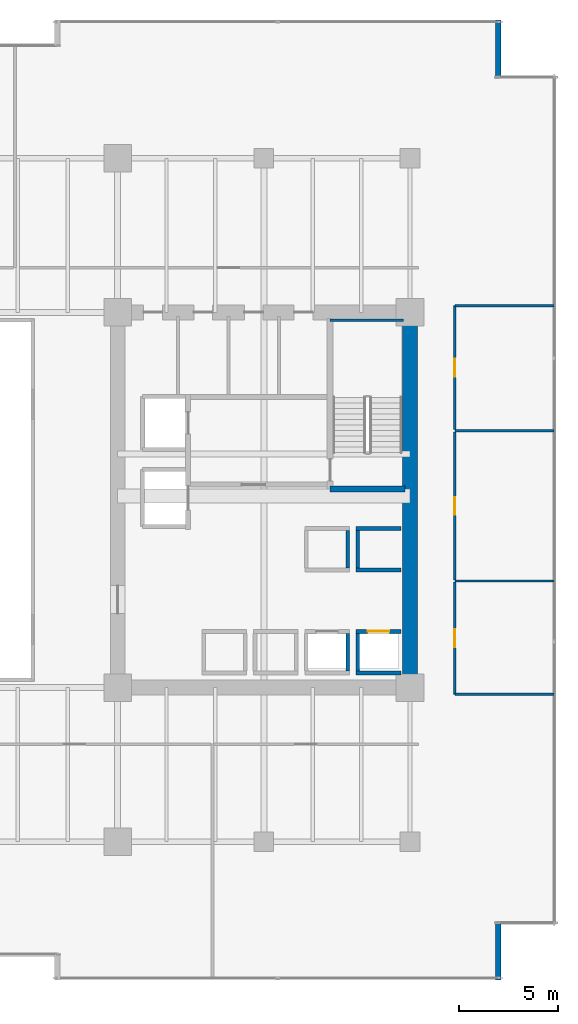
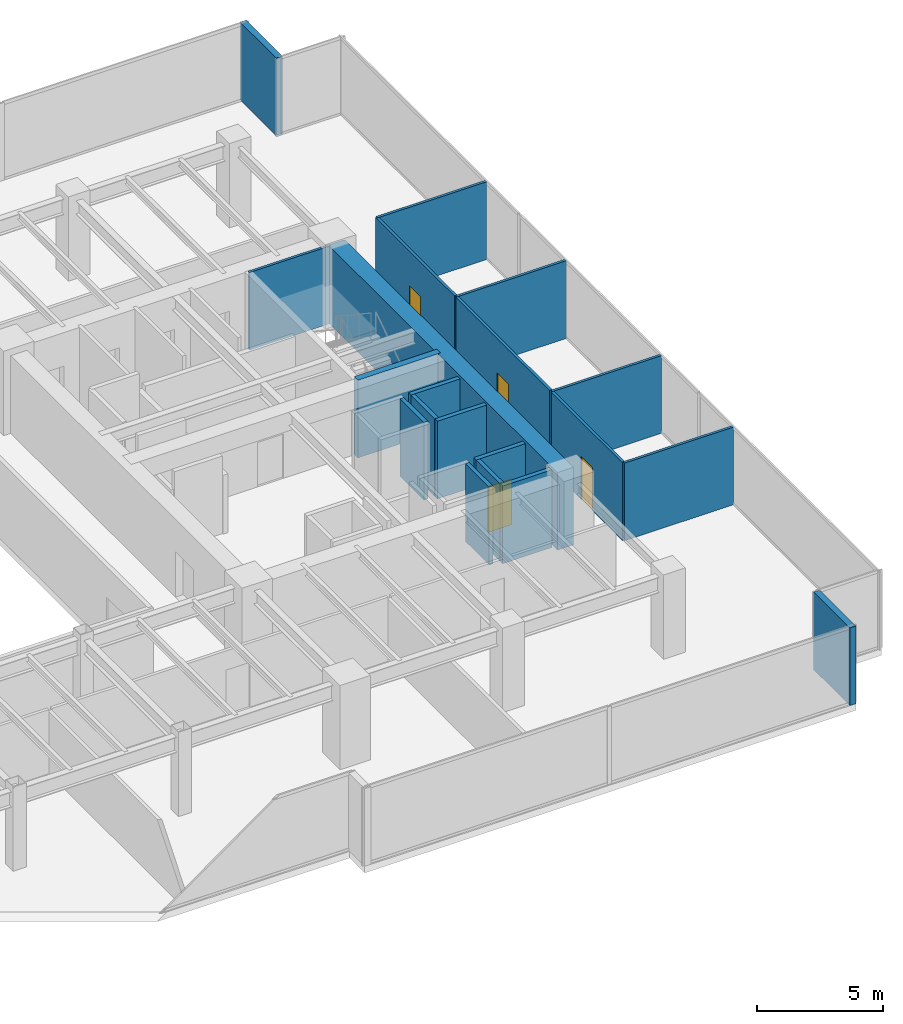
# One storey, part 32 of 35: 20 walls, 4 doors, 4 openings.
"""IFC4 building model written with IfcOpenShell, lengths in metres."""

from ifc_helpers import new_model, si_unit, direction, frame, frame_2d, origin, place, context, subcontext, project, spatial, rectangle, extrude, source, transform, mapped, material, layer, layer_set, type_object, type_shapes, element, fill, save


model = new_model("IFC4")

# Units and contexts
model_context = context("Model", 3, precision=1e-05, world=origin(), true_north=direction((0.0, 1.0)))
body_context = subcontext(model_context, "Body", "Model", "MODEL_VIEW")
ifc_project = project(units=[si_unit("LENGTHUNIT", "METRE"), si_unit("AREAUNIT", "SQUARE_METRE"), si_unit("VOLUMEUNIT", "CUBIC_METRE"), si_unit("PLANEANGLEUNIT", "RADIAN"), si_unit("MASSUNIT", "GRAM", prefix="KILO")], contexts=[model_context])

# Site, building, storey
site_placement = place(None, origin())
site = spatial("IfcSite", under=ifc_project, at=site_placement, CompositionType="ELEMENT")
building_placement = place(site_placement, origin())
building = spatial("IfcBuilding", under=site, at=building_placement, Name="Haelvirn Gate Laboratories", CompositionType="ELEMENT")
storey_placement = place(building_placement, frame((0.0, 0.0, 82.60009765625)))
storey = spatial("IfcBuildingStorey", under=building, at=storey_placement, Name="L20", CompositionType="ELEMENT", Elevation=82.60009765625)

# Walls
ifc_material_1 = material(Name="Thermally-broken bronze aluminium rainscreen & mineral wool", Category="aluminium")
ifc_layer_1 = layer(ifc_material_1, 0.280029296875, Name="EW-TERR-280")
ifc_layer_set_1 = layer_set([ifc_layer_1], Name="Thermally-broken bronze aluminium rainscreen & mineral wool")
wall_type_1 = type_object("IfcWallType", Name="EW-TERR-280", PredefinedType="STANDARD", material=ifc_layer_set_1)
wall_1_placement = place(storey_placement, frame((71.860107421875, 0.0, 0.0), z_axis=(0.0, 0.0, 1.0), x_axis=(0.0, 1.0, 0.0)))
element("IfcWall", 1, at=wall_1_placement, inside=storey, type_object=wall_type_1, Name="L20 Atrium Recess Bronze Return Wall 05", PredefinedType="STANDARD", context=body_context, shape_type="SweptSolid", body=[
    extrude(rectangle(XDim=2.887939453125, YDim=0.280029296875, at=frame_2d((1.44384765625, 0.0))), origin(), (0.0, 0.0, 1.0), 3.77978515625),
])
wall_2_placement = place(storey_placement, frame((71.860107421875, 45.7119140625, 0.0), z_axis=(0.0, 0.0, 1.0), x_axis=(0.0, 1.0, 0.0)))
element("IfcWall", 2, at=wall_2_placement, inside=storey, type_object=wall_type_1, Name="L20 Atrium Recess Bronze Return Wall 09", PredefinedType="STANDARD", context=body_context, shape_type="SweptSolid", body=[
    extrude(rectangle(XDim=2.88818359375, YDim=0.280029296875, at=frame_2d((1.444091796875, 0.0))), origin(), (0.0, 0.0, 1.0), 3.77978515625),
])
ifc_material_2 = material(Name="Lightweight acoustic gypsum board partition", Category="gypsum")
ifc_layer_2 = layer(ifc_material_2, 0.1201171875, Name="IW-PART-120")
ifc_layer_set_2 = layer_set([ifc_layer_2], Name="Lightweight acoustic gypsum board partition")
wall_type_2 = type_object("IfcWallType", Name="IW-PART-120", PredefinedType="PARTITIONING", material=ifc_layer_set_2)
for number, where, z_axis, x_axis, name in (
    (3, (69.669921875, 14.465087890625, 0.0), (0.0, 0.0, 1.0), (1.0, 0.0, 0.0), "L20 Interior Wall IW-L20-ECAP-S"),
    (4, (69.669921875, 34.135009765625, 0.0), (0.0, 0.0, 1.0), (1.0, 0.0, 0.0), "L20 Interior Wall IW-L20-ECAP-N"),
):
    element("IfcWall", number, at=place(storey_placement, frame(where, z_axis=z_axis, x_axis=x_axis)), inside=storey, type_object=wall_type_2, Name=name, PredefinedType="PARTITIONING", context=body_context, shape_type="SweptSolid", body=[
        extrude(rectangle(XDim=5.02001953125, YDim=0.1201171875, at=frame_2d((2.510009765625, 0.0))), origin(), (0.0, 0.0, 1.0), 3.77978515625),
    ])

# Wall, opening, door
wall_3_placement = place(storey_placement, frame((69.669921875, 14.465087890625, 0.0), z_axis=(0.0, 0.0, 1.0), x_axis=(0.0, 1.0, 0.0)))
wall_3 = element("IfcWall", 5, at=wall_3_placement, inside=storey, type_object=wall_type_2, Name="L20 Interior Wall IW-L20-EPASS-01", PredefinedType="PARTITIONING", context=body_context, shape_type="SweptSolid", body=[
    extrude(rectangle(XDim=5.6748046875, YDim=0.1201171875, at=frame_2d((2.83740234375, 0.0))), origin(), (0.0, 0.0, 1.0), 3.77978515625),
])
opening_1_placement = place(wall_3_placement, frame((2.387451171875, 0.0, 0.0)))
opening_1 = element("IfcOpeningElement", 6, at=opening_1_placement, cuts=wall_3, Name="Opening D4", PredefinedType="OPENING", context=body_context, shape_type="SweptSolid", body=[
    extrude(rectangle(XDim=0.89990234375, YDim=2.10009765625, at=frame_2d((0.449951171875, 1.050048828125))), frame((0.0, 0.070068359375, 0.0), z_axis=(0.0, -1.0, 0.0), x_axis=(1.0, 0.0, 0.0)), (0.0, 0.0, 1.0), 0.14013671875),
])
ifc_material_3 = material(Name="Glazed aluminium-framed write-up door", Category="aluminium")
door_type_1 = type_object("IfcDoorType", Name="DR-OFF-900", OperationType="NOTDEFINED", PredefinedType="DOOR", material=ifc_material_3)
shared_shape_1 = source(origin(), body_context, "Body", "SweptSolid", [
    extrude(rectangle(XDim=0.89990234375, YDim=2.10009765625, at=frame_2d((0.449951171875, 1.050048828125))), frame((0.0, 0.02490234375, 0.0), z_axis=(0.0, -1.0, 0.0), x_axis=(1.0, 0.0, 0.0)), (0.0, 0.0, 1.0), 0.050048828125),
])
type_shapes(door_type_1, [shared_shape_1])
door_1_placement = place(opening_1_placement, origin())
door_1 = element("IfcDoor", 7, at=door_1_placement, inside=storey, type_object=door_type_1, Name="L20 Proteomics Mass-Spec Laboratory Door E1", OperationType="SINGLE_SWING_LEFT", OverallHeight=2.10009765625, OverallWidth=0.89990234375, PredefinedType="DOOR", context=body_context, shape_type="MappedRepresentation", body=[
    mapped(shared_shape_1, transform((0.0, 0.0, 0.0), scale=1.0)),
])
fill(opening_1, door_1)

# Wall
wall_4_placement = place(storey_placement, frame((69.669921875, 20.199951171875, 0.0), z_axis=(0.0, 0.0, 1.0), x_axis=(1.0, 0.0, 0.0)))
element("IfcWall", 8, at=wall_4_placement, inside=storey, type_object=wall_type_2, Name="L20 Interior Wall IW-L20-EDIV-01", PredefinedType="PARTITIONING", context=body_context, shape_type="SweptSolid", body=[
    extrude(rectangle(XDim=5.02001953125, YDim=0.1201171875, at=frame_2d((2.510009765625, 0.0))), origin(), (0.0, 0.0, 1.0), 3.77978515625),
])

# Wall, opening, door
wall_5_placement = place(storey_placement, frame((69.669921875, 20.260009765625, 0.0), z_axis=(0.0, 0.0, 1.0), x_axis=(0.0, 1.0, 0.0)))
wall_5 = element("IfcWall", 9, at=wall_5_placement, inside=storey, type_object=wall_type_2, Name="L20 Interior Wall IW-L20-EPASS-02", PredefinedType="PARTITIONING", context=body_context, shape_type="SweptSolid", body=[
    extrude(rectangle(XDim=7.47998046875, YDim=0.1201171875, at=frame_2d((3.739990234375, 0.0))), origin(), (0.0, 0.0, 1.0), 3.77978515625),
])
opening_2_placement = place(wall_5_placement, frame((3.2900390625, 0.0, 0.0)))
opening_2 = element("IfcOpeningElement", 10, at=opening_2_placement, cuts=wall_5, Name="Opening D4", PredefinedType="OPENING", context=body_context, shape_type="SweptSolid", body=[
    extrude(rectangle(XDim=0.89990234375, YDim=2.10009765625, at=frame_2d((0.449951171875, 1.050048828125))), frame((0.0, 0.070068359375, 0.0), z_axis=(0.0, -1.0, 0.0), x_axis=(1.0, 0.0, 0.0)), (0.0, 0.0, 1.0), 0.14013671875),
])
door_2_placement = place(opening_2_placement, origin())
door_2 = element("IfcDoor", 11, at=door_2_placement, inside=storey, type_object=door_type_1, Name="L20 Chemical Synthesis Laboratory Door E2", OperationType="SINGLE_SWING_RIGHT", OverallHeight=2.10009765625, OverallWidth=0.89990234375, PredefinedType="DOOR", context=body_context, shape_type="MappedRepresentation", body=[
    mapped(shared_shape_1, transform((0.0, 0.0, 0.0), scale=1.0)),
])
fill(opening_2, door_2)

# Wall
wall_6_placement = place(storey_placement, frame((69.669921875, 27.800048828125, 0.0), z_axis=(0.0, 0.0, 1.0), x_axis=(1.0, 0.0, 0.0)))
element("IfcWall", 12, at=wall_6_placement, inside=storey, type_object=wall_type_2, Name="L20 Interior Wall IW-L20-EDIV-02", PredefinedType="PARTITIONING", context=body_context, shape_type="SweptSolid", body=[
    extrude(rectangle(XDim=5.02001953125, YDim=0.1201171875, at=frame_2d((2.510009765625, 0.0))), origin(), (0.0, 0.0, 1.0), 3.77978515625),
])

# Wall, opening, door
wall_7_placement = place(storey_placement, frame((69.669921875, 27.860107421875, 0.0), z_axis=(0.0, 0.0, 1.0), x_axis=(0.0, 1.0, 0.0)))
wall_7 = element("IfcWall", 13, at=wall_7_placement, inside=storey, type_object=wall_type_2, Name="L20 Interior Wall IW-L20-EPASS-03", PredefinedType="PARTITIONING", context=body_context, shape_type="SweptSolid", body=[
    extrude(rectangle(XDim=6.27490234375, YDim=0.1201171875, at=frame_2d((3.137451171875, 0.0))), origin(), (0.0, 0.0, 1.0), 3.77978515625),
])
opening_3_placement = place(wall_7_placement, frame((2.6875, 0.0, 0.0)))
opening_3 = element("IfcOpeningElement", 14, at=opening_3_placement, cuts=wall_7, Name="Opening D4", PredefinedType="OPENING", context=body_context, shape_type="SweptSolid", body=[
    extrude(rectangle(XDim=0.89990234375, YDim=2.10009765625, at=frame_2d((0.449951171875, 1.050048828125))), frame((0.0, 0.070068359375, 0.0), z_axis=(0.0, -1.0, 0.0), x_axis=(1.0, 0.0, 0.0)), (0.0, 0.0, 1.0), 0.14013671875),
])
door_3_placement = place(opening_3_placement, origin())
door_3 = element("IfcDoor", 15, at=door_3_placement, inside=storey, type_object=door_type_1, Name="L20 Bioprocess Foundry Laboratory Door E3", OperationType="SINGLE_SWING_LEFT", OverallHeight=2.10009765625, OverallWidth=0.89990234375, PredefinedType="DOOR", context=body_context, shape_type="MappedRepresentation", body=[
    mapped(shared_shape_1, transform((0.0, 0.0, 0.0), scale=1.0)),
])
fill(opening_3, door_3)

# Walls
ifc_material_4 = material(Name="Concrete C40/50", Category="concrete")
ifc_layer_3 = layer(ifc_material_4, 0.179931640625, Name="IW-SHAFT-180")
ifc_layer_set_3 = layer_set([ifc_layer_3], Name="Concrete C40/50")
wall_type_3 = type_object("IfcWallType", Name="IW-SHAFT-180", PredefinedType="SOLIDWALL", material=ifc_layer_set_3)
for number, where, z_axis, x_axis, name in (
    (16, (64.75, 15.64990234375, 0.0), (0.0, 0.0, 1.0), (0.0, 1.0, 0.0), "L20 Interior Wall IW-L20-PL3-SD"),
    (17, (64.25, 15.64990234375, 0.0), (0.0, 0.0, 1.0), (0.0, 1.0, 0.0), "L20 Interior Wall IW-L20-PL4-SDE"),
):
    element("IfcWall", number, at=place(storey_placement, frame(where, z_axis=z_axis, x_axis=x_axis)), inside=storey, type_object=wall_type_3, Name=name, PredefinedType="SOLIDWALL", context=body_context, shape_type="SweptSolid", body=[
        extrude(rectangle(XDim=1.900146484375, YDim=0.179931640625, at=frame_2d((0.9501953125, 0.0))), origin(), (0.0, 0.0, 1.0), 3.77978515625),
    ])
for number, where, z_axis, x_axis, name in (
    (18, (64.75, 20.85009765625, 0.0), (0.0, 0.0, 1.0), (0.0, 1.0, 0.0), "L20 Interior Wall IW-L20-PL11-SD"),
    (19, (64.25, 20.85009765625, 0.0), (0.0, 0.0, 1.0), (0.0, 1.0, 0.0), "L20 Interior Wall IW-L20-PL12-SDE"),
):
    element("IfcWall", number, at=place(storey_placement, frame(where, z_axis=z_axis, x_axis=x_axis)), inside=storey, type_object=wall_type_3, Name=name, PredefinedType="SOLIDWALL", context=body_context, shape_type="SweptSolid", body=[
        extrude(rectangle(XDim=1.89990234375, YDim=0.179931640625, at=frame_2d((0.949951171875, 0.0))), origin(), (0.0, 0.0, 1.0), 3.77978515625),
    ])

# Wall, opening, door
ifc_layer_4 = layer(ifc_material_4, 0.199951171875, Name="IW-SHAFT-200")
ifc_layer_set_4 = layer_set([ifc_layer_4], Name="Concrete C40/50")
wall_type_4 = type_object("IfcWallType", Name="IW-SHAFT-200", PredefinedType="SOLIDWALL", material=ifc_layer_set_4)
wall_8_placement = place(storey_placement, frame((64.669921875, 17.64990234375, 0.0), z_axis=(0.0, 0.0, 1.0), x_axis=(1.0, 0.0, 0.0)))
wall_8 = element("IfcWall", 20, at=wall_8_placement, inside=storey, type_object=wall_type_4, Name="L20 Interior Wall IW-L20-PL3-FR", PredefinedType="SOLIDWALL", context=body_context, shape_type="SweptSolid", body=[
    extrude(rectangle(XDim=2.260009765625, YDim=0.199951171875, at=frame_2d((1.1298828125, 0.0))), origin(), (0.0, 0.0, 1.0), 3.77978515625),
])
opening_4_placement = place(wall_8_placement, frame((0.580078125, 0.0, 0.0)))
opening_4 = element("IfcOpeningElement", 21, at=opening_4_placement, cuts=wall_8, Name="Opening LD2", PredefinedType="OPENING", context=body_context, shape_type="SweptSolid", body=[
    extrude(rectangle(XDim=1.10009765625, YDim=2.219970703125, at=frame_2d((0.550048828125, 1.10986328125))), frame((0.0, 0.10986328125, 0.0), z_axis=(0.0, -1.0, 0.0), x_axis=(1.0, 0.0, 0.0)), (0.0, 0.0, 1.0), 0.219970703125),
])
ifc_material_5 = material(Name="Bronze stainless 316L sliding lift landing door")
door_type_2 = type_object("IfcDoorType", Name="DR-LD-1100", OperationType="NOTDEFINED", PredefinedType="USERDEFINED", material=ifc_material_5)
shared_shape_2 = source(origin(), body_context, "Body", "SweptSolid", [
    extrude(rectangle(XDim=1.10009765625, YDim=2.219970703125, at=frame_2d((0.550048828125, 1.10986328125))), frame((0.0, 0.02490234375, 0.0), z_axis=(0.0, -1.0, 0.0), x_axis=(1.0, 0.0, 0.0)), (0.0, 0.0, 1.0), 0.050048828125),
])
type_shapes(door_type_2, [shared_shape_2])
door_4_placement = place(opening_4_placement, origin())
door_4 = element("IfcDoor", 22, at=door_4_placement, inside=storey, type_object=door_type_2, Name="L20 Passenger Lift PL3 Landing Door", ObjectType="LANDING_DOOR", OperationType="SLIDING_TO_LEFT", OverallHeight=2.219970703125, OverallWidth=1.10009765625, PredefinedType="USERDEFINED", context=body_context, shape_type="MappedRepresentation", body=[
    mapped(shared_shape_2, transform((0.0, 0.0, 0.0), scale=1.0)),
])
fill(opening_4, door_4)

# Walls
for number, where, z_axis, x_axis, name in (
    (23, (64.669921875, 15.550048828125, 0.0), (0.0, 0.0, 1.0), (1.0, 0.0, 0.0), "L20 Interior Wall IW-L20-PL3-BK"),
    (24, (64.669921875, 20.75, 0.0), (0.0, 0.0, 1.0), (1.0, 0.0, 0.0), "L20 Interior Wall IW-L20-PL11-FR"),
    (25, (64.669921875, 22.85009765625, 0.0), (0.0, 0.0, 1.0), (1.0, 0.0, 0.0), "L20 Interior Wall IW-L20-PL11-BK"),
):
    element("IfcWall", number, at=place(storey_placement, frame(where, z_axis=z_axis, x_axis=x_axis)), inside=storey, type_object=wall_type_4, Name=name, PredefinedType="SOLIDWALL", context=body_context, shape_type="SweptSolid", body=[
        extrude(rectangle(XDim=2.260009765625, YDim=0.199951171875, at=frame_2d((1.1298828125, 0.0))), origin(), (0.0, 0.0, 1.0), 3.77978515625),
    ])
ifc_material_6 = material(Name="Concrete C70/85", Category="concrete")
ifc_layer_5 = layer(ifc_material_6, 0.75, Name="SW-CORE-750")
ifc_layer_set_5 = layer_set([ifc_layer_5], Name="Concrete C70/85")
wall_type_5 = type_object("IfcWallType", Name="SW-CORE-750", PredefinedType="SHEAR", material=ifc_layer_set_5)
wall_9_placement = place(storey_placement, frame((67.39990234375, 15.175048828125, 0.0), z_axis=(0.0, 0.0, 1.0), x_axis=(0.0, 1.0, 0.0)))
element("IfcWall", 26, at=wall_9_placement, inside=storey, type_object=wall_type_5, Name="L20 E Core Shear Wall E", PredefinedType="SHEAR", context=body_context, shape_type="SweptSolid", body=[
    extrude(rectangle(XDim=18.25, YDim=0.75, at=frame_2d((9.125, 0.0))), origin(), (0.0, 0.0, 1.0), 3.77978515625),
])
ifc_material_7 = material(Name="Concrete C50/60", Category="concrete")
ifc_layer_6 = layer(ifc_material_7, 0.1201171875, Name="SW-LINER-120")
ifc_layer_set_6 = layer_set([ifc_layer_6], Name="Concrete C50/60")
wall_type_6 = type_object("IfcWallType", Name="SW-LINER-120", PredefinedType="SOLIDWALL", material=ifc_layer_set_6)
wall_10_placement = place(storey_placement, frame((63.35009765625, 33.39990234375, 0.0), z_axis=(0.0, 0.0, 1.0), x_axis=(1.0, 0.0, 0.0)))
element("IfcWall", 27, at=wall_10_placement, inside=storey, type_object=wall_type_6, Name="L20 E Core Stair Shaft Liner Wall N", PredefinedType="SOLIDWALL", context=body_context, shape_type="SweptSolid", body=[
    extrude(rectangle(XDim=3.719970703125, YDim=0.1201171875, at=frame_2d((1.85986328125, 0.0))), origin(), (0.0, 0.0, 1.0), 3.77978515625),
])
ifc_layer_7 = layer(ifc_material_7, 0.300048828125, Name="SW-STAIR-300")
ifc_layer_set_7 = layer_set([ifc_layer_7], Name="Concrete C50/60")
wall_type_7 = type_object("IfcWallType", Name="SW-STAIR-300", PredefinedType="SHEAR", material=ifc_layer_set_7)
wall_11_placement = place(storey_placement, frame((63.35009765625, 24.85009765625, 0.0), z_axis=(0.0, 0.0, 1.0), x_axis=(1.0, 0.0, 0.0)))
element("IfcWall", 28, at=wall_11_placement, inside=storey, type_object=wall_type_7, Name="L20 E Core Stair Shaft Structural Wall S", PredefinedType="SHEAR", context=body_context, shape_type="SweptSolid", body=[
    extrude(rectangle(XDim=3.7998046875, YDim=0.300048828125, at=frame_2d((1.89990234375, 0.0))), origin(), (0.0, 0.0, 1.0), 3.77978515625),
])

save(model, "model.ifc")
